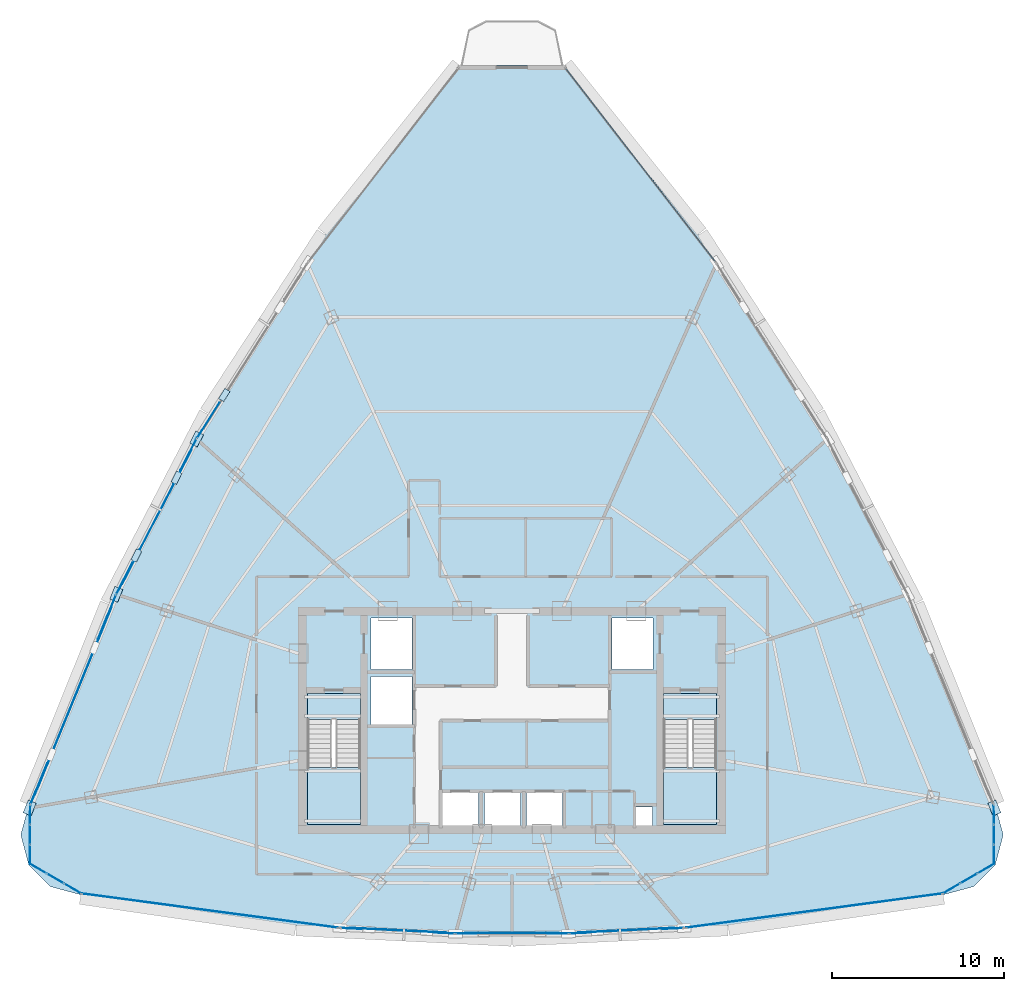
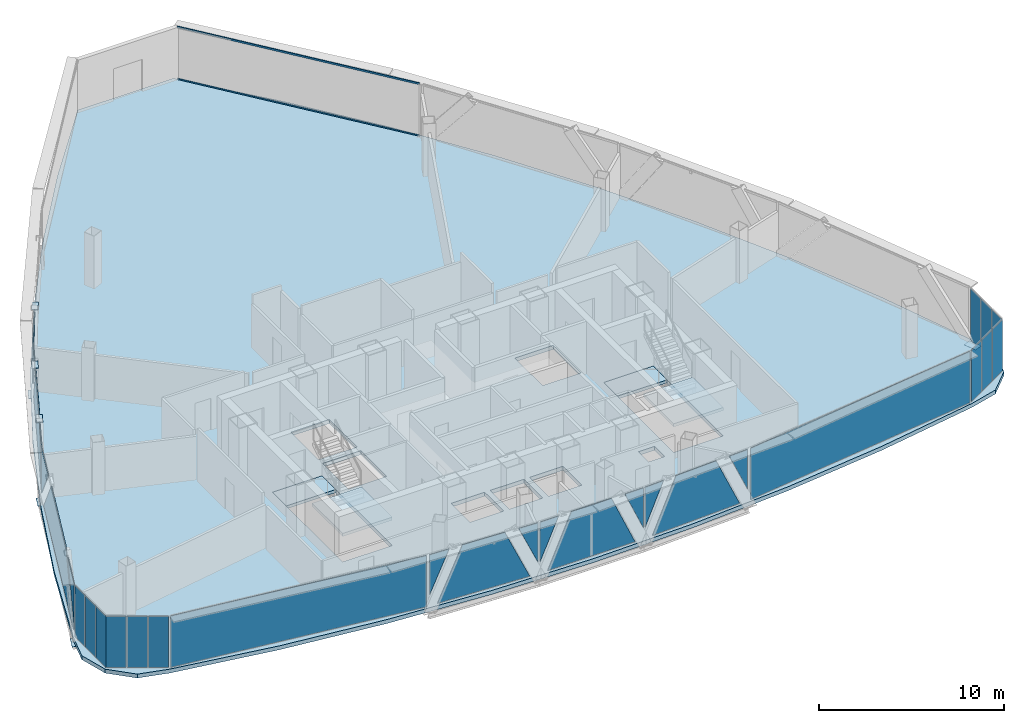
# One storey, part 21 of 28: 37 plates, 5 slabs, 2 members, 15 elements without a shape of their own.
"""IFC4 building model written with IfcOpenShell, lengths in metres."""

from ifc_helpers import new_model, si_unit, direction, frame, origin, origin_2d, place, context, subcontext, project, spatial, polyline, rectangle, hollow_rectangle, outline, extrude, source, transform, mapped, material, layer, layer_set, material_profile, profile_set, type_object, element, aggregate, save


model = new_model("IFC4")

# Units and contexts
model_context = context("Model", 3, precision=1e-05, world=origin(), true_north=direction((0.0, 1.0)))
body_context = subcontext(model_context, "Body", "Model", "MODEL_VIEW")
ifc_project = project(units=[si_unit("LENGTHUNIT", "METRE"), si_unit("AREAUNIT", "SQUARE_METRE"), si_unit("VOLUMEUNIT", "CUBIC_METRE"), si_unit("PLANEANGLEUNIT", "RADIAN"), si_unit("MASSUNIT", "GRAM", prefix="KILO"), si_unit("THERMODYNAMICTEMPERATUREUNIT", "KELVIN"), si_unit("POWERUNIT", "WATT")], contexts=[model_context])

# Site, building, storey
site_placement = place(None, origin())
site = spatial("IfcSite", under=ifc_project, at=site_placement, CompositionType="ELEMENT")
building_placement = place(site_placement, origin())
building = spatial("IfcBuilding", under=site, at=building_placement, Name="Yunzhuo Pagoda Commons", CompositionType="ELEMENT")
storey_placement = place(building_placement, frame((0.0, 0.0, 336.760009765625)))
storey = spatial("IfcBuildingStorey", under=building, at=storey_placement, Name="L84", CompositionType="ELEMENT", Elevation=336.760009765625)

# Curtain wall, members
ifc_material_1 = material(Name="Anodized aluminium 6063-T6", Category="aluminium")
ifc_layer_1 = layer(ifc_material_1, 0.139892578125)
ifc_layer_set_1 = layer_set([ifc_layer_1], Name="Anodized aluminium 6063-T6")
curtain_wall_type_1 = type_object("IfcCurtainWallType", Name="CW-HI High-Zone Ribbon Curtain Wall", PredefinedType="NOTDEFINED", material=ifc_layer_set_1)
curtain_wall_1_placement = place(storey_placement, origin())
curtain_wall_1 = element("IfcCurtainWall", 1, at=curtain_wall_1_placement, inside=storey, type_object=curtain_wall_type_1, Name="L84 curtain wall CW-L84-F2B5", PredefinedType="NOTDEFINED")
ifc_material_profile = material_profile(ifc_material_1, hollow_rectangle(XDim=0.054931640625, YDim=0.1201171875, WallThickness=0.00341796875, at=origin_2d()), Name="Anodized aluminium 6063-T6")
ifc_profile_set = profile_set([ifc_material_profile], Name="Anodized aluminium 6063-T6")
member_type = type_object("IfcMemberType", Name="CW-HI-T Transom RHS 120x55x3.5", PredefinedType="USERDEFINED", material=ifc_profile_set)
shared_shape_1 = source(origin(), body_context, "Body", "SweptSolid", [
    extrude(hollow_rectangle(XDim=0.054931640625, YDim=0.1201171875, WallThickness=0.00341796875, at=origin_2d()), origin(), (0.0, 0.0, 1.0), 14.18017578125),
])
member_1_placement = place(storey_placement, frame((59.8125, 60.52392578125, 0.027587890625), z_axis=(-0.612422141113, 0.790530910892, 0.0), x_axis=(-0.790530910892, -0.612422141113, 0.0)))
member_1 = element("IfcMember", 2, at=member_1_placement, type_object=member_type, Name="CW transom 1.1", ObjectType="TRANSOM", PredefinedType="USERDEFINED", context=body_context, shape_type="MappedRepresentation", body=[
    mapped(shared_shape_1, transform((0.0, 0.0, 0.0), scale=1.0)),
])
member_2_placement = place(storey_placement, frame((59.8125, 60.52392578125, 3.46240234375), z_axis=(-0.612422141113, 0.790530910892, 0.0), x_axis=(-0.790530910892, -0.612422141113, 0.0)))
member_2 = element("IfcMember", 3, at=member_2_placement, type_object=member_type, Name="CW transom 1.2", ObjectType="TRANSOM", PredefinedType="USERDEFINED", context=body_context, shape_type="MappedRepresentation", body=[
    mapped(shared_shape_1, transform((0.0, 0.0, 0.0), scale=1.0)),
])
aggregate(curtain_wall_1, [member_1, member_2])

# Curtain wall, plates
curtain_wall_2_placement = place(storey_placement, origin())
curtain_wall_2 = element("IfcCurtainWall", 4, at=curtain_wall_2_placement, inside=storey, type_object=curtain_wall_type_1, Name="L84 curtain wall CW-L84-F1B2", PredefinedType="NOTDEFINED")
ifc_material_2 = material(Name="Tempered low-e double glazing", Category="glass")
ifc_layer_2 = layer(ifc_material_2, 0.02587890625)
ifc_layer_set_2 = layer_set([ifc_layer_2], Name="Tempered low-e double glazing")
plate_type_1 = type_object("IfcPlateType", Name="CW-HI-P Low-E Double Glazing 26", PredefinedType="CURTAIN_PANEL", material=ifc_layer_set_2)
plate_1_placement = place(storey_placement, frame((38.6494140625, 21.763427734375, 2.11865234375), z_axis=(-0.048905572213, -0.998803406585, 0.0), x_axis=(0.998803406585, -0.048905572213, 0.0)))
plate_1 = element("IfcPlate", 5, at=plate_1_placement, type_object=plate_type_1, Name="CW panel 1.1 lite 1", PredefinedType="CURTAIN_PANEL", context=body_context, shape_type="SweptSolid", body=[
    extrude(outline(polyline([(-0.59033203125, -1.31640625), (0.59033203125, 1.31640625), (-0.59033203125, 1.31640625), (-0.59033203125, -1.31640625)])), origin(), (0.0, 0.0, 1.0), 0.028076171875),
])
plate_2_placement = place(storey_placement, frame((41.36083984375, 21.660888671875, 1.744873046875), z_axis=(-0.048905572213, -0.998803406585, 0.0), x_axis=(0.998803406585, -0.048905572213, 0.0)))
plate_2 = element("IfcPlate", 6, at=plate_2_placement, type_object=plate_type_1, Name="CW panel 1.1 lite 2", PredefinedType="CURTAIN_PANEL", context=body_context, shape_type="SweptSolid", body=[
    extrude(outline(polyline([(-2.805908203125, -1.68994140625), (2.805908203125, -1.68994140625), (1.2900390625, 1.68994140625), (-1.2900390625, 1.68994140625), (-2.805908203125, -1.68994140625)])), origin(), (0.0, 0.0, 1.0), 0.028076171875),
])
plate_3_placement = place(storey_placement, frame((44.0693359375, 21.498046875, 2.11865234375), z_axis=(-0.048905572213, -0.998803406585, 0.0), x_axis=(0.998803406585, -0.048905572213, 0.0)))
plate_3 = element("IfcPlate", 7, at=plate_3_placement, type_object=plate_type_1, Name="CW panel 1.1 lite 3", PredefinedType="CURTAIN_PANEL", context=body_context, shape_type="SweptSolid", body=[
    extrude(outline(polyline([(-0.59033203125, 1.31640625), (0.59033203125, -1.31640625), (0.59033203125, 1.31640625), (-0.59033203125, 1.31640625)])), origin(), (0.0, 0.0, 1.0), 0.028076171875),
])
aggregate(curtain_wall_2, [plate_1, plate_2, plate_3])

curtain_wall_3_placement = place(storey_placement, origin())
curtain_wall_3 = element("IfcCurtainWall", 8, at=curtain_wall_3_placement, inside=storey, type_object=curtain_wall_type_1, Name="L84 curtain wall CW-L84-F1B3", PredefinedType="NOTDEFINED")
plate_4_placement = place(storey_placement, frame((45.349365234375, 21.46630859375, 2.1298828125), z_axis=(0.0, -1.0, 0.0), x_axis=(1.0, 0.0, 0.0)))
plate_4 = element("IfcPlate", 9, at=plate_4_placement, type_object=plate_type_1, Name="CW panel 1.1 lite 1", PredefinedType="CURTAIN_PANEL", context=body_context, shape_type="SweptSolid", body=[
    extrude(outline(polyline([(-0.571044921875, -1.304931640625), (0.571044921875, 1.304931640625), (-0.571044921875, 1.304931640625), (-0.571044921875, -1.304931640625)])), origin(), (0.0, 0.0, 1.0), 0.028076171875),
])
plate_5_placement = place(storey_placement, frame((48.0, 21.49658203125, 1.744873046875), z_axis=(0.0, -1.0, 0.0), x_axis=(1.0, 0.0, 0.0)))
plate_5 = element("IfcPlate", 10, at=plate_5_placement, type_object=plate_type_1, Name="CW panel 1.1 lite 2", PredefinedType="CURTAIN_PANEL", context=body_context, shape_type="SweptSolid", body=[
    extrude(outline(polyline([(-2.72900390625, -1.68994140625), (2.72900390625, -1.68994140625), (1.250244140625, 1.68994140625), (-1.250244140625, 1.68994140625), (-2.72900390625, -1.68994140625)])), origin(), (0.0, 0.0, 1.0), 0.028076171875),
])
plate_6_placement = place(storey_placement, frame((50.650634765625, 21.46630859375, 2.1298828125), z_axis=(0.0, -1.0, 0.0), x_axis=(1.0, 0.0, 0.0)))
plate_6 = element("IfcPlate", 11, at=plate_6_placement, type_object=plate_type_1, Name="CW panel 1.1 lite 3", PredefinedType="CURTAIN_PANEL", context=body_context, shape_type="SweptSolid", body=[
    extrude(outline(polyline([(-0.571044921875, 1.304931640625), (0.571044921875, -1.304931640625), (0.571044921875, 1.304931640625), (-0.571044921875, 1.304931640625)])), origin(), (0.0, 0.0, 1.0), 0.028076171875),
])
aggregate(curtain_wall_3, [plate_4, plate_5, plate_6])

curtain_wall_4_placement = place(storey_placement, origin())
curtain_wall_4 = element("IfcCurtainWall", 12, at=curtain_wall_4_placement, inside=storey, type_object=curtain_wall_type_1, Name="L84 curtain wall CW-L84-F1B4", PredefinedType="NOTDEFINED")
plate_7_placement = place(storey_placement, frame((51.9306640625, 21.498046875, 2.11865234375), z_axis=(0.048905572213, -0.998803406585, 0.0), x_axis=(0.998803406585, 0.048905572213, 0.0)))
plate_7 = element("IfcPlate", 13, at=plate_7_placement, type_object=plate_type_1, Name="CW panel 1.1 lite 1", PredefinedType="CURTAIN_PANEL", context=body_context, shape_type="SweptSolid", body=[
    extrude(outline(polyline([(-0.59033203125, -1.31640625), (0.59033203125, 1.31640625), (-0.59033203125, 1.31640625), (-0.59033203125, -1.31640625)])), origin(), (0.0, 0.0, 1.0), 0.028076171875),
])
plate_8_placement = place(storey_placement, frame((54.63916015625, 21.660888671875, 1.744873046875), z_axis=(0.048905572213, -0.998803406585, 0.0), x_axis=(0.998803406585, 0.048905572213, 0.0)))
plate_8 = element("IfcPlate", 14, at=plate_8_placement, type_object=plate_type_1, Name="CW panel 1.1 lite 2", PredefinedType="CURTAIN_PANEL", context=body_context, shape_type="SweptSolid", body=[
    extrude(outline(polyline([(-2.805908203125, -1.68994140625), (2.805908203125, -1.68994140625), (1.2900390625, 1.68994140625), (-1.2900390625, 1.68994140625), (-2.805908203125, -1.68994140625)])), origin(), (0.0, 0.0, 1.0), 0.028076171875),
])
plate_9_placement = place(storey_placement, frame((57.3505859375, 21.763427734375, 2.11865234375), z_axis=(0.048905572213, -0.998803406585, 0.0), x_axis=(0.998803406585, 0.048905572213, 0.0)))
plate_9 = element("IfcPlate", 15, at=plate_9_placement, type_object=plate_type_1, Name="CW panel 1.1 lite 3", PredefinedType="CURTAIN_PANEL", context=body_context, shape_type="SweptSolid", body=[
    extrude(outline(polyline([(-0.59033203125, 1.31640625), (0.59033203125, -1.31640625), (0.59033203125, 1.31640625), (-0.59033203125, 1.31640625)])), origin(), (0.0, 0.0, 1.0), 0.028076171875),
])
aggregate(curtain_wall_4, [plate_7, plate_8, plate_9])

# Curtain wall, plate
curtain_wall_5_placement = place(storey_placement, origin())
curtain_wall_5 = element("IfcCurtainWall", 16, at=curtain_wall_5_placement, inside=storey, type_object=curtain_wall_type_1, Name="L84 curtain wall CW-L84-F3B2", PredefinedType="NOTDEFINED")
plate_10_placement = place(storey_placement, frame((30.356689453125, 51.277099609375, 1.927978515625), z_axis=(-0.845817518552, 0.533472328532, 0.0), x_axis=(-0.533472328532, -0.845817518552, 0.0)))
plate_10 = element("IfcPlate", 17, at=plate_10_placement, type_object=plate_type_1, Name="CW panel 1.1 lite 3", PredefinedType="CURTAIN_PANEL", context=body_context, shape_type="SweptSolid", body=[
    extrude(outline(polyline([(-1.212646484375, 1.507080078125), (1.212646484375, -1.507080078125), (1.212646484375, 1.507080078125), (-1.212646484375, 1.507080078125)])), origin(), (0.0, 0.0, 1.0), 0.028076171875),
])
aggregate(curtain_wall_5, [plate_10])

# Curtain wall, plates
curtain_wall_6_placement = place(storey_placement, origin())
curtain_wall_6 = element("IfcCurtainWall", 18, at=curtain_wall_6_placement, inside=storey, type_object=curtain_wall_type_1, Name="L84 curtain wall CW-L84-F3B3", PredefinedType="NOTDEFINED")
plate_11_placement = place(storey_placement, frame((29.19482421875, 49.266357421875, 1.97021484375), z_axis=(-0.888380452968, 0.459108016467, 0.0), x_axis=(-0.459108016467, -0.888380452968, 0.0)))
plate_11 = element("IfcPlate", 19, at=plate_11_placement, type_object=plate_type_1, Name="CW panel 1.1 lite 1", PredefinedType="CURTAIN_PANEL", context=body_context, shape_type="SweptSolid", body=[
    extrude(outline(polyline([(-0.992919921875, -1.464599609375), (0.992919921875, 1.464599609375), (-0.992919921875, 1.464599609375), (-0.992919921875, -1.464599609375)])), origin(), (0.0, 0.0, 1.0), 0.028076171875),
])
plate_12_placement = place(storey_placement, frame((27.37060546875, 45.6708984375, 1.744873046875), z_axis=(-0.888380452968, 0.459108016467, 0.0), x_axis=(-0.459108016467, -0.888380452968, 0.0)))
plate_12 = element("IfcPlate", 20, at=plate_12_placement, type_object=plate_type_1, Name="CW panel 1.1 lite 2", PredefinedType="CURTAIN_PANEL", context=body_context, shape_type="SweptSolid", body=[
    extrude(outline(polyline([(-4.411865234375, -1.68994140625), (4.411865234375, -1.68994140625), (2.120361328125, 1.68994140625), (-2.120361328125, 1.68994140625), (-4.411865234375, -1.68994140625)])), origin(), (0.0, 0.0, 1.0), 0.028076171875),
])
plate_13_placement = place(storey_placement, frame((25.492919921875, 42.103271484375, 1.97021484375), z_axis=(-0.888380452968, 0.459108016467, 0.0), x_axis=(-0.459108016467, -0.888380452968, 0.0)))
plate_13 = element("IfcPlate", 21, at=plate_13_placement, type_object=plate_type_1, Name="CW panel 1.1 lite 3", PredefinedType="CURTAIN_PANEL", context=body_context, shape_type="SweptSolid", body=[
    extrude(outline(polyline([(-0.992919921875, 1.464599609375), (0.992919921875, -1.464599609375), (0.992919921875, 1.464599609375), (-0.992919921875, 1.464599609375)])), origin(), (0.0, 0.0, 1.0), 0.028076171875),
])
aggregate(curtain_wall_6, [plate_11, plate_12, plate_13])

curtain_wall_7_placement = place(storey_placement, origin())
curtain_wall_7 = element("IfcCurtainWall", 22, at=curtain_wall_7_placement, inside=storey, type_object=curtain_wall_type_1, Name="L84 curtain wall CW-L84-F3B4", PredefinedType="NOTDEFINED")
plate_14_placement = place(storey_placement, frame((24.470947265625, 39.848876953125, 1.90625), z_axis=(-0.925729863061, 0.37818543155, 0.0), x_axis=(-0.37818543155, -0.925729863061, 0.0)))
plate_14 = element("IfcPlate", 23, at=plate_14_placement, type_object=plate_type_1, Name="CW panel 1.1 lite 1", PredefinedType="CURTAIN_PANEL", context=body_context, shape_type="SweptSolid", body=[
    extrude(outline(polyline([(-1.36572265625, -1.52880859375), (1.36572265625, 1.52880859375), (-1.36572265625, 1.52880859375), (-1.36572265625, -1.52880859375)])), origin(), (0.0, 0.0, 1.0), 0.028076171875),
])
plate_15_placement = place(storey_placement, frame((22.504150390625, 34.955078125, 1.744873046875), z_axis=(-0.925729863061, 0.37818543155, 0.0), x_axis=(-0.37818543155, -0.925729863061, 0.0)))
plate_15 = element("IfcPlate", 24, at=plate_15_placement, type_object=plate_type_1, Name="CW panel 1.1 lite 2", PredefinedType="CURTAIN_PANEL", context=body_context, shape_type="SweptSolid", body=[
    extrude(outline(polyline([(-5.908935546875, -1.68994140625), (5.908935546875, -1.68994140625), (2.889404296875, 1.68994140625), (-2.889404296875, 1.68994140625), (-5.908935546875, -1.68994140625)])), origin(), (0.0, 0.0, 1.0), 0.028076171875),
])
plate_16_placement = place(storey_placement, frame((20.515380859375, 30.166748046875, 2.00634765625), z_axis=(-0.925729863061, 0.37818543155, 0.0), x_axis=(-0.37818543155, -0.925729863061, 0.0)))
plate_16 = element("IfcPlate", 25, at=plate_16_placement, type_object=plate_type_1, Name="CW panel 1.1 lite 3", PredefinedType="CURTAIN_PANEL", context=body_context, shape_type="SweptSolid", body=[
    extrude(outline(polyline([(-1.2763671875, 1.4287109375), (1.2763671875, -1.4287109375), (1.2763671875, 1.4287109375), (-1.2763671875, 1.4287109375)])), origin(), (0.0, 0.0, 1.0), 0.028076171875),
])
aggregate(curtain_wall_7, [plate_14, plate_15, plate_16])

# Stair, slabs
ifc_material_3 = material(Name="Concrete C40", Category="concrete")
stair_type_1 = type_object("IfcStairType", Name="ST-C1 Core Smokeproof Stair ST1", PredefinedType="HALF_TURN_STAIR", material=ifc_material_3)
stair_1_placement = place(storey_placement, origin())
stair_1 = element("IfcStair", 26, at=stair_1_placement, inside=storey, type_object=stair_type_1, Name="L84 Core smokeproof stair ST1", PredefinedType="HALF_TURN_STAIR")
ifc_layer_3 = layer(ifc_material_3, 0.199951171875)
ifc_layer_set_3 = layer_set([ifc_layer_3], Name="Concrete C40")
slab_type_1 = type_object("IfcSlabType", Name="SL-LND1 Stair Landing Slab 200", PredefinedType="LANDING", material=ifc_layer_set_3)
slab_1_placement = place(storey_placement, frame((0.0, 0.0, 1.675048828125)))
slab_1 = element("IfcSlab", 27, at=slab_1_placement, type_object=slab_type_1, Name="ST1 landing 1", PredefinedType="LANDING", context=body_context, shape_type="SweptSolid", body=[
    extrude(outline(polyline([(36.10009765625, 31.10009765625), (36.10009765625, 27.800048828125), (39.199951171875, 27.800048828125), (39.199951171875, 31.10009765625), (36.10009765625, 31.10009765625)])), origin(), (0.0, 0.0, 1.0), 0.199951171875),
])
slab_2_placement = place(storey_placement, frame((0.0, 0.0, -0.199951171875)))
slab_2 = element("IfcSlab", 28, at=slab_2_placement, type_object=slab_type_1, Name="ST1 floor landing L84", PredefinedType="LANDING", context=body_context, shape_type="SweptSolid", body=[
    extrude(outline(polyline([(36.10009765625, 35.39990234375), (36.10009765625, 33.89990234375), (39.199951171875, 33.89990234375), (39.199951171875, 35.39990234375), (36.10009765625, 35.39990234375)])), origin(), (0.0, 0.0, 1.0), 0.199951171875),
])
aggregate(stair_1, [slab_1, slab_2])

stair_type_2 = type_object("IfcStairType", Name="ST-C2 Core Smokeproof Stair ST2", PredefinedType="HALF_TURN_STAIR", material=ifc_material_3)
stair_2_placement = place(storey_placement, origin())
stair_2 = element("IfcStair", 29, at=stair_2_placement, inside=storey, type_object=stair_type_2, Name="L84 Core smokeproof stair ST2", PredefinedType="HALF_TURN_STAIR")
ifc_layer_4 = layer(ifc_material_3, 0.201904296875)
ifc_layer_set_4 = layer_set([ifc_layer_4], Name="Concrete C40")
slab_type_2 = type_object("IfcSlabType", Name="SL-LND2 Stair Landing Slab 202", PredefinedType="LANDING", material=ifc_layer_set_4)
slab_3_placement = place(storey_placement, frame((0.0, 0.0, 1.675048828125)))
slab_3 = element("IfcSlab", 30, at=slab_3_placement, type_object=slab_type_2, Name="ST2 landing 1", PredefinedType="LANDING", context=body_context, shape_type="SweptSolid", body=[
    extrude(outline(polyline([(56.800048828125, 31.10009765625), (56.800048828125, 27.800048828125), (59.89990234375, 27.800048828125), (59.89990234375, 31.10009765625), (56.800048828125, 31.10009765625)])), origin(), (0.0, 0.0, 1.0), 0.199951171875),
])
slab_4_placement = place(storey_placement, frame((0.0, 0.0, -0.199951171875)))
slab_4 = element("IfcSlab", 31, at=slab_4_placement, type_object=slab_type_2, Name="ST2 floor landing L84", PredefinedType="LANDING", context=body_context, shape_type="SweptSolid", body=[
    extrude(outline(polyline([(56.800048828125, 35.39990234375), (56.800048828125, 33.89990234375), (59.89990234375, 33.89990234375), (59.89990234375, 35.39990234375), (56.800048828125, 35.39990234375)])), origin(), (0.0, 0.0, 1.0), 0.199951171875),
])
aggregate(stair_2, [slab_3, slab_4])

# Slab
ifc_layer_5 = layer(ifc_material_3, 0.260009765625)
ifc_layer_set_5 = layer_set([ifc_layer_5], Name="Concrete C40")
slab_type_3 = type_object("IfcSlabType", Name="SL-TWR Typical Tower Floor Slab 260", PredefinedType="FLOOR", material=ifc_layer_set_5)
slab_5_placement = place(storey_placement, frame((0.0, 0.0, -0.260009765625)))
element("IfcSlab", 32, at=slab_5_placement, inside=storey, type_object=slab_type_3, Name="L84 structural floor slab", PredefinedType="FLOOR", context=body_context, shape_type="SweptSolid", body=[
    extrude(outline(polyline([(22.13037109375, 34.845703125), (24.607421875, 40.602294921875), (27.347900390625, 46.205078125), (30.351806640625, 51.654052734375), (33.619384765625, 56.94921875), (37.150634765625, 62.09033203125), (40.9453125, 67.07763671875), (45.003662109375, 71.9111328125), (50.996337890625, 71.9111328125), (55.0546875, 67.07763671875), (58.849365234375, 62.09033203125), (62.380615234375, 56.94921875), (65.648193359375, 51.654052734375), (68.652099609375, 46.205078125), (71.392578125, 40.602294921875), (73.86962890625, 34.845703125), (76.0830078125, 28.935302734375), (76.555908203125, 27.19873046875), (76.09521484375, 25.458740234375), (74.82470703125, 24.18359375), (73.08642578125, 23.716796875), (66.81494140625, 22.648681640625), (60.543212890625, 21.8857421875), (54.271484375, 21.427978515625), (48.0, 21.275390625), (41.728515625, 21.427978515625), (35.456787109375, 21.8857421875), (29.18505859375, 22.648681640625), (22.91357421875, 23.716796875), (21.17529296875, 24.18359375), (19.90478515625, 25.458740234375), (19.444091796875, 27.19873046875), (19.9169921875, 28.935302734375), (22.13037109375, 34.845703125)]), holes=[polyline([(56.179931640625, 28.800048828125), (55.179931640625, 28.800048828125), (55.179931640625, 27.699951171875), (56.179931640625, 27.699951171875), (56.179931640625, 28.800048828125)]), polyline([(46.050048828125, 29.64990234375), (43.949951171875, 29.64990234375), (43.949951171875, 27.60009765625), (46.050048828125, 27.60009765625), (46.050048828125, 29.64990234375)]), polyline([(48.5, 29.64990234375), (46.39990234375, 29.64990234375), (46.39990234375, 27.60009765625), (48.5, 27.60009765625), (48.5, 29.64990234375)]), polyline([(50.949951171875, 29.64990234375), (48.85009765625, 29.64990234375), (48.85009765625, 27.60009765625), (50.949951171875, 27.60009765625), (50.949951171875, 29.64990234375)]), polyline([(39.199951171875, 27.800048828125), (39.199951171875, 35.39990234375), (36.10009765625, 35.39990234375), (36.10009765625, 27.800048828125), (39.199951171875, 27.800048828125)]), polyline([(59.89990234375, 27.800048828125), (59.89990234375, 35.39990234375), (56.800048828125, 35.39990234375), (56.800048828125, 27.800048828125), (59.89990234375, 27.800048828125)]), polyline([(42.199951171875, 36.39990234375), (39.800048828125, 36.39990234375), (39.800048828125, 33.60009765625), (42.199951171875, 33.60009765625), (42.199951171875, 36.39990234375)]), polyline([(42.199951171875, 36.800048828125), (42.199951171875, 39.800048828125), (39.800048828125, 39.800048828125), (39.800048828125, 36.800048828125), (42.199951171875, 36.800048828125)]), polyline([(56.199951171875, 36.800048828125), (56.199951171875, 39.800048828125), (53.800048828125, 39.800048828125), (53.800048828125, 36.800048828125), (56.199951171875, 36.800048828125)])]), origin(), (0.0, 0.0, 1.0), 0.260009765625),
])

# Plates
ifc_material_4 = material(Name="Structural steel Q355B", Category="steel")
ifc_layer_6 = layer(ifc_material_4, 0.028076171875)
ifc_layer_set_6 = layer_set([ifc_layer_6], Name="Structural steel Q355B")
plate_type_2 = type_object("IfcPlateType", Name="SP-ND1 Lattice Node Cap Plate 800x500x28", PredefinedType="USERDEFINED", material=ifc_layer_set_6)
shared_shape_2 = source(origin(), body_context, "Body", "SweptSolid", [
    extrude(rectangle(XDim=0.800048828125, YDim=0.5, at=origin_2d()), origin(), (0.0, 0.0, 1.0), 0.028076171875),
])
for number, where, z_axis, x_axis, name in (
    (33, (76.0380859375, 28.756103515625, -0.27392578125), (0.0, 0.0, 1.0), (-0.375755256687, 0.926718936395, 0.0), "L84 diamond node plate F2.1A"),
    (34, (29.665771484375, 50.2080078125, -0.27392578125), (0.0, 0.0, 1.0), (-0.459114770487, -0.888376962511, 0.0), "L84 diamond node plate F3.2A"),
    (35, (24.9970703125, 41.174072265625, -0.27392578125), (0.0, 0.0, 1.0), (-0.375755256687, -0.926718936395, 0.0), "L84 diamond node plate F3.3A"),
    (36, (19.9619140625, 28.756103515625, -0.27392578125), (0.0, 0.0, 1.0), (-0.375755256687, -0.926718936395, 0.0), "L84 diamond node plate F3.3B"),
):
    element("IfcPlate", number, at=place(storey_placement, frame(where, z_axis=z_axis, x_axis=x_axis)), inside=storey, type_object=plate_type_2, Name=name, ObjectType="STIFFENER_PLATE", PredefinedType="USERDEFINED", context=body_context, shape_type="MappedRepresentation", body=[
        mapped(shared_shape_2, transform((0.0, 0.0, 0.0), scale=1.0)),
    ])
shared_shape_3 = source(origin(), body_context, "Body", "SweptSolid", [
    extrude(rectangle(XDim=0.699951171875, YDim=0.35009765625, at=origin_2d()), origin(), (0.0, 0.0, 1.0), 0.035888671875),
])
for number, where, z_axis, x_axis, name in (
    (37, (31.275390625, 52.760498046875, 3.4521484375), (0.0, 0.0, 1.0), (-0.533466900438, -0.845820942125, 0.0), "L84 setback lattice tie plate F3.1R"),
    (38, (28.49853515625, 47.94970703125, 3.4521484375), (0.0, 0.0, 1.0), (-0.459114770487, -0.888376962511, 0.0), "L84 setback lattice tie plate F3.2L"),
    (39, (26.164306640625, 43.4326171875, 3.4521484375), (0.0, 0.0, 1.0), (-0.459114770487, -0.888376962511, 0.0), "L84 setback lattice tie plate F3.2R"),
):
    element("IfcPlate", number, at=place(storey_placement, frame(where, z_axis=z_axis, x_axis=x_axis)), inside=storey, type_object=plate_type_2, Name=name, ObjectType="STIFFENER_PLATE", PredefinedType="USERDEFINED", context=body_context, shape_type="MappedRepresentation", body=[
        mapped(shared_shape_3, transform((0.0, 0.0, 0.0), scale=1.0)),
    ])

# Curtain wall, plate
curtain_wall_8_placement = place(storey_placement, origin())
curtain_wall_8 = element("IfcCurtainWall", 40, at=curtain_wall_8_placement, inside=storey, type_object=curtain_wall_type_1, Name="L84 curtain wall CW-L84-F1B1", PredefinedType="NOTDEFINED")
shared_shape_4 = source(origin(), body_context, "Body", "SweptSolid", [
    extrude(rectangle(XDim=14.9833984375, YDim=0.028076171875, at=origin_2d()), origin(), (0.0, 0.0, 1.0), 3.3798828125),
])
plate_17_placement = place(storey_placement, frame((30.439208984375, 22.78857421875, 0.054931640625), z_axis=(0.0, 0.0, 1.0), x_axis=(0.991240559845, -0.132068741636, 0.0)))
plate_17 = element("IfcPlate", 41, at=plate_17_placement, type_object=plate_type_1, Name="CW panel 1.1", PredefinedType="CURTAIN_PANEL", context=body_context, shape_type="MappedRepresentation", body=[
    mapped(shared_shape_4, transform((0.0, 0.0, 0.0), scale=1.0)),
])
aggregate(curtain_wall_8, [plate_17])

curtain_wall_9_placement = place(storey_placement, origin())
curtain_wall_9 = element("IfcCurtainWall", 42, at=curtain_wall_9_placement, inside=storey, type_object=curtain_wall_type_1, Name="L84 curtain wall CW-L84-F1B5", PredefinedType="NOTDEFINED")
plate_18_placement = place(storey_placement, frame((65.560791015625, 22.78857421875, 0.054931640625), z_axis=(0.0, 0.0, 1.0), x_axis=(0.991240559845, 0.132068741636, 0.0)))
plate_18 = element("IfcPlate", 43, at=plate_18_placement, type_object=plate_type_1, Name="CW panel 1.1", PredefinedType="CURTAIN_PANEL", context=body_context, shape_type="MappedRepresentation", body=[
    mapped(shared_shape_4, transform((0.0, 0.0, 0.0), scale=1.0)),
])
aggregate(curtain_wall_9, [plate_18])

# Curtain wall, plates
ifc_layer_7 = layer(ifc_material_1, 0.1298828125)
ifc_layer_set_7 = layer_set([ifc_layer_7], Name="Anodized aluminium 6063-T6")
curtain_wall_type_2 = type_object("IfcCurtainWallType", Name="CW-VTX Rounded Corner Curtain Wall", PredefinedType="NOTDEFINED", material=ifc_layer_set_7)
curtain_wall_10_placement = place(storey_placement, origin())
curtain_wall_10 = element("IfcCurtainWall", 44, at=curtain_wall_10_placement, inside=storey, type_object=curtain_wall_type_2, Name="L84 curtain wall CW-L84-VTX1S1", PredefinedType="NOTDEFINED")
ifc_layer_8 = layer(ifc_material_2, 0.02587890625)
ifc_layer_set_8 = layer_set([ifc_layer_8], Name="Tempered low-e double glazing")
plate_type_3 = type_object("IfcPlateType", Name="CW-VTX-P Low-E Double Glazing 26", PredefinedType="CURTAIN_PANEL", material=ifc_layer_set_8)
shared_shape_5 = source(origin(), body_context, "Body", "SweptSolid", [
    extrude(rectangle(XDim=1.076416015625, YDim=0.028076171875, at=origin_2d()), origin(), (0.0, 0.0, 1.0), 3.3798828125),
])
plate_19_placement = place(storey_placement, frame((19.994873046875, 28.341796875, 0.054931640625), z_axis=(0.0, 0.0, 1.0), x_axis=(-0.003566680416, -0.999993639375, 0.0)))
plate_19 = element("IfcPlate", 45, at=plate_19_placement, type_object=plate_type_3, Name="CW panel 1.1", PredefinedType="CURTAIN_PANEL", context=body_context, shape_type="MappedRepresentation", body=[
    mapped(shared_shape_5, transform((0.0, 0.0, 0.0), scale=1.0)),
])
plate_20_placement = place(storey_placement, frame((19.98681640625, 26.051513671875, 0.054931640625), z_axis=(0.0, 0.0, 1.0), x_axis=(-0.003566680416, -0.999993639375, 0.0)))
plate_20 = element("IfcPlate", 46, at=plate_20_placement, type_object=plate_type_3, Name="CW panel 3.1", PredefinedType="CURTAIN_PANEL", context=body_context, shape_type="MappedRepresentation", body=[
    mapped(shared_shape_5, transform((0.0, 0.0, 0.0), scale=1.0)),
])

curtain_wall_11_placement = place(storey_placement, origin())
curtain_wall_11 = element("IfcCurtainWall", 47, at=curtain_wall_11_placement, inside=storey, type_object=curtain_wall_type_2, Name="L84 curtain wall CW-L84-VTX1S2", PredefinedType="NOTDEFINED")
plate_21_placement = place(storey_placement, frame((20.458251953125, 25.230712890625, 0.054931640625), z_axis=(0.0, 0.0, 1.0), x_axis=(0.865430880416, -0.501028333753, 0.0)))
plate_21 = element("IfcPlate", 48, at=plate_21_placement, type_object=plate_type_3, Name="CW panel 1.1", PredefinedType="CURTAIN_PANEL", context=body_context, shape_type="MappedRepresentation", body=[
    mapped(shared_shape_5, transform((0.0, 0.0, 0.0), scale=1.0)),
])
plate_22_placement = place(storey_placement, frame((22.440185546875, 24.083251953125, 0.054931640625), z_axis=(0.0, 0.0, 1.0), x_axis=(0.865430880416, -0.501028333753, 0.0)))
plate_22 = element("IfcPlate", 49, at=plate_22_placement, type_object=plate_type_3, Name="CW panel 3.1", PredefinedType="CURTAIN_PANEL", context=body_context, shape_type="MappedRepresentation", body=[
    mapped(shared_shape_5, transform((0.0, 0.0, 0.0), scale=1.0)),
])

curtain_wall_12_placement = place(storey_placement, origin())
curtain_wall_12 = element("IfcCurtainWall", 50, at=curtain_wall_12_placement, inside=storey, type_object=curtain_wall_type_2, Name="L84 curtain wall CW-L84-VTX2S1", PredefinedType="NOTDEFINED")
plate_23_placement = place(storey_placement, frame((73.559814453125, 24.083251953125, 0.054931640625), z_axis=(0.0, 0.0, 1.0), x_axis=(0.865430880416, 0.501028333753, 0.0)))
plate_23 = element("IfcPlate", 51, at=plate_23_placement, type_object=plate_type_3, Name="CW panel 1.1", PredefinedType="CURTAIN_PANEL", context=body_context, shape_type="MappedRepresentation", body=[
    mapped(shared_shape_5, transform((0.0, 0.0, 0.0), scale=1.0)),
])
plate_24_placement = place(storey_placement, frame((75.541748046875, 25.230712890625, 0.054931640625), z_axis=(0.0, 0.0, 1.0), x_axis=(0.865430880416, 0.501028333753, 0.0)))
plate_24 = element("IfcPlate", 52, at=plate_24_placement, type_object=plate_type_3, Name="CW panel 3.1", PredefinedType="CURTAIN_PANEL", context=body_context, shape_type="MappedRepresentation", body=[
    mapped(shared_shape_5, transform((0.0, 0.0, 0.0), scale=1.0)),
])

curtain_wall_13_placement = place(storey_placement, origin())
curtain_wall_13 = element("IfcCurtainWall", 53, at=curtain_wall_13_placement, inside=storey, type_object=curtain_wall_type_2, Name="L84 curtain wall CW-L84-VTX2S2", PredefinedType="NOTDEFINED")
plate_25_placement = place(storey_placement, frame((76.01318359375, 26.051513671875, 0.054931640625), z_axis=(0.0, 0.0, 1.0), x_axis=(-0.003566680416, 0.999993639375, 0.0)))
plate_25 = element("IfcPlate", 54, at=plate_25_placement, type_object=plate_type_3, Name="CW panel 1.1", PredefinedType="CURTAIN_PANEL", context=body_context, shape_type="MappedRepresentation", body=[
    mapped(shared_shape_5, transform((0.0, 0.0, 0.0), scale=1.0)),
])
plate_26_placement = place(storey_placement, frame((76.005126953125, 28.341796875, 0.054931640625), z_axis=(0.0, 0.0, 1.0), x_axis=(-0.003566680416, 0.999993639375, 0.0)))
plate_26 = element("IfcPlate", 55, at=plate_26_placement, type_object=plate_type_3, Name="CW panel 3.1", PredefinedType="CURTAIN_PANEL", context=body_context, shape_type="MappedRepresentation", body=[
    mapped(shared_shape_5, transform((0.0, 0.0, 0.0), scale=1.0)),
])

# Plate
shared_shape_6 = source(origin(), body_context, "Body", "SweptSolid", [
    extrude(rectangle(XDim=1.103759765625, YDim=0.028076171875, at=origin_2d()), origin(), (0.0, 0.0, 1.0), 3.3798828125),
])
plate_27_placement = place(storey_placement, frame((19.990966796875, 27.19677734375, 0.054931640625), z_axis=(0.0, 0.0, 1.0), x_axis=(-0.003566680416, -0.999993639375, 0.0)))
plate_27 = element("IfcPlate", 56, at=plate_27_placement, type_object=plate_type_3, Name="CW panel 2.1", PredefinedType="CURTAIN_PANEL", context=body_context, shape_type="MappedRepresentation", body=[
    mapped(shared_shape_6, transform((0.0, 0.0, 0.0), scale=1.0)),
])

aggregate(curtain_wall_10, [plate_19, plate_27, plate_20])

plate_28_placement = place(storey_placement, frame((76.009033203125, 27.19677734375, 0.054931640625), z_axis=(0.0, 0.0, 1.0), x_axis=(-0.003566680416, 0.999993639375, 0.0)))
plate_28 = element("IfcPlate", 57, at=plate_28_placement, type_object=plate_type_3, Name="CW panel 2.1", PredefinedType="CURTAIN_PANEL", context=body_context, shape_type="MappedRepresentation", body=[
    mapped(shared_shape_6, transform((0.0, 0.0, 0.0), scale=1.0)),
])

aggregate(curtain_wall_13, [plate_25, plate_28, plate_26])

shared_shape_7 = source(origin(), body_context, "Body", "SweptSolid", [
    extrude(rectangle(XDim=1.10400390625, YDim=0.028076171875, at=origin_2d()), origin(), (0.0, 0.0, 1.0), 3.3798828125),
])
plate_29_placement = place(storey_placement, frame((21.44921875, 24.656982421875, 0.054931640625), z_axis=(0.0, 0.0, 1.0), x_axis=(0.865430880416, -0.501028333753, 0.0)))
plate_29 = element("IfcPlate", 58, at=plate_29_placement, type_object=plate_type_3, Name="CW panel 2.1", PredefinedType="CURTAIN_PANEL", context=body_context, shape_type="MappedRepresentation", body=[
    mapped(shared_shape_7, transform((0.0, 0.0, 0.0), scale=1.0)),
])

aggregate(curtain_wall_11, [plate_21, plate_29, plate_22])

plate_30_placement = place(storey_placement, frame((74.55078125, 24.656982421875, 0.054931640625), z_axis=(0.0, 0.0, 1.0), x_axis=(0.865430880416, 0.501028333753, 0.0)))
plate_30 = element("IfcPlate", 59, at=plate_30_placement, type_object=plate_type_3, Name="CW panel 2.1", PredefinedType="CURTAIN_PANEL", context=body_context, shape_type="MappedRepresentation", body=[
    mapped(shared_shape_7, transform((0.0, 0.0, 0.0), scale=1.0)),
])

aggregate(curtain_wall_12, [plate_23, plate_30, plate_24])

save(model, "model.ifc")
